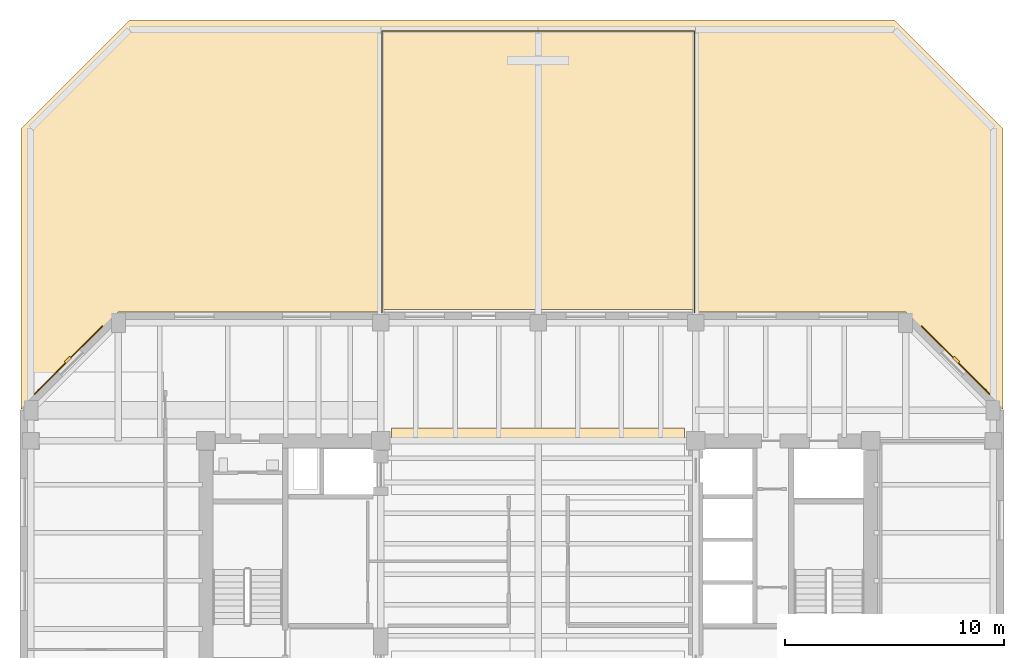
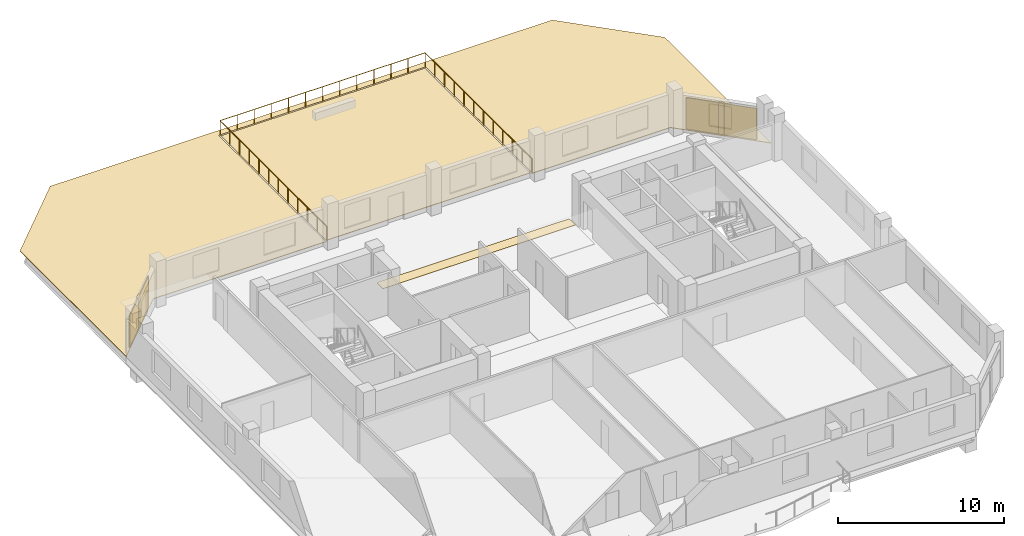
# One storey, part 10 of 11: 5 coverings, 2 shading devices, 1 railing.
"""IFC4 building model written with IfcOpenShell, lengths in metres."""

from ifc_helpers import new_model, si_unit, direction, frame, origin, origin_2d, place, context, subcontext, project, spatial, polyline, rectangle, circle, outline, extrude, material, layer, layer_set, type_object, element, save


model = new_model("IFC4")

# Units and contexts
model_context = context("Model", 3, precision=1e-05, world=origin(), true_north=direction((0.0, 1.0)))
body_context = subcontext(model_context, "Body", "Model", "MODEL_VIEW")
ifc_project = project(units=[si_unit("LENGTHUNIT", "METRE"), si_unit("AREAUNIT", "SQUARE_METRE"), si_unit("VOLUMEUNIT", "CUBIC_METRE"), si_unit("PLANEANGLEUNIT", "RADIAN"), si_unit("MASSUNIT", "GRAM", prefix="KILO")], contexts=[model_context])

# Site, building, storey
site_placement = place(None, origin())
site = spatial("IfcSite", under=ifc_project, at=site_placement, CompositionType="ELEMENT")
building_placement = place(site_placement, origin())
building = spatial("IfcBuilding", under=site, at=building_placement, Name="Kranthara Brick Stack", CompositionType="ELEMENT")
storey_placement = place(building_placement, frame((0.0, 0.0, 207.5)))
storey = spatial("IfcBuildingStorey", under=building, at=storey_placement, Name="L53", CompositionType="ELEMENT", Elevation=207.5)

# Coverings
ifc_material_1 = material(Name="Warm buff kiln-fired brick slip rainscreen", Category="masonry")
ifc_layer_1 = layer(ifc_material_1, 0.044921875)
ifc_layer_set_1 = layer_set([ifc_layer_1], Name="Warm buff kiln-fired brick slip rainscreen")
covering_type_1 = type_object("IfcCoveringType", Name="COV-CLAD-BRICK", PredefinedType="CLADDING", material=ifc_layer_set_1)
for number, where, z_axis, x_axis, name in (
    (1, (6.5126953125, 37.287353515625, 0.0498046875), (0.0, 0.0, 1.0), (0.707106781187, 0.707106781187, 0.0), "L53 Chamfer Brick Rainscreen Cladding NW"),
    (2, (47.08740234375, 37.287353515625, 0.0498046875), (0.0, 0.0, 1.0), (0.707106781187, -0.707106781187, 0.0), "L53 Chamfer Brick Rainscreen Cladding NE"),
):
    element("IfcCovering", number, at=place(storey_placement, frame(where, z_axis=z_axis, x_axis=x_axis)), inside=storey, type_object=covering_type_1, Name=name, PredefinedType="CLADDING", context=body_context, shape_type="SweptSolid", body=[
        extrude(rectangle(XDim=4.39892578125, YDim=0.044921875, at=origin_2d()), origin(), (0.0, 0.0, 1.0), 2.300048828125),
    ])
ifc_material_2 = material(Name="Honed terrazzo and porcelain floor finish", Category="stone")
ifc_layer_2 = layer(ifc_material_2, 0.030029296875)
ifc_layer_set_2 = layer_set([ifc_layer_2], Name="Honed terrazzo and porcelain floor finish")
covering_type_2 = type_object("IfcCoveringType", Name="COV-FLOR-STONE", PredefinedType="FLOORING", material=ifc_layer_set_2)
covering_1_placement = place(storey_placement, origin())
element("IfcCovering", 3, at=covering_1_placement, inside=storey, type_object=covering_type_2, Name="L53 Lift Lobby Stone Flooring", PredefinedType="FLOORING", context=body_context, shape_type="SweptSolid", body=[
    extrude(outline(polyline([(34.699951171875, 33.449951171875), (21.300048828125, 33.449951171875), (21.300048828125, 34.199951171875), (34.699951171875, 34.199951171875), (34.699951171875, 33.449951171875)])), origin(), (0.0, 0.0, 1.0), 0.030029296875),
])
ifc_material_3 = material(Name="EPDM waterproofing membrane and rigid insulation", Category="other")
ifc_layer_3 = layer(ifc_material_3, 0.0400390625)
ifc_layer_set_3 = layer_set([ifc_layer_3], Name="EPDM waterproofing membrane and rigid insulation")
covering_type_3 = type_object("IfcCoveringType", Name="COV-ROOF-MEMB", PredefinedType="ROOFING", material=ifc_layer_set_3)
covering_2_placement = place(storey_placement, frame((0.0, 0.0, -0.0400390625)))
element("IfcCovering", 4, at=covering_2_placement, inside=storey, type_object=covering_type_3, Name="L53 Sky Garden Waterproofing Membrane", PredefinedType="ROOFING", context=body_context, shape_type="SweptSolid", body=[
    extrude(outline(polyline([(20.89990234375, 39.60009765625), (35.10009765625, 39.60009765625), (35.10009765625, 52.300048828125), (20.89990234375, 52.300048828125), (20.89990234375, 39.60009765625)])), origin(), (0.0, 0.0, 1.0), 0.0400390625),
])
covering_3_placement = place(storey_placement, frame((0.0, 0.0, -0.0400390625)))
element("IfcCovering", 5, at=covering_3_placement, inside=storey, type_object=covering_type_3, Name="L53 Setback Flat Roof Waterproofing Membrane 01", PredefinedType="ROOFING", context=body_context, shape_type="SweptSolid", body=[
    extrude(outline(polyline([(4.35009765625, 47.87939453125), (9.32080078125, 52.85009765625), (44.279296875, 52.85009765625), (49.25, 47.87939453125), (49.25, 35.050048828125), (44.800048828125, 39.5), (35.199951171875, 39.5), (35.199951171875, 52.39990234375), (20.800048828125, 52.39990234375), (20.800048828125, 39.5), (8.800048828125, 39.5), (4.35009765625, 35.050048828125), (4.35009765625, 47.87939453125)])), origin(), (0.0, 0.0, 1.0), 0.0400390625),
])

# Railing
ifc_material_4 = material(Name="Bronze anodised aluminium guardrail", Category="aluminium")
railing_type = type_object("IfcRailingType", Name="RL-TERR-1100", PredefinedType="GUARDRAIL", material=ifc_material_4)
railing_placement = place(storey_placement, frame((20.860107421875, 39.4599609375, 0.0)))
element("IfcRailing", 6, at=railing_placement, inside=storey, type_object=railing_type, Name="L53 Sky Garden Perimeter Guardrail", PredefinedType="GUARDRAIL", context=body_context, shape_type="SweptSolid", body=[
    extrude(circle(Radius=0.02392578125, at=origin_2d()), frame((0.0, 0.0, 1.09619140625), z_axis=(0.0, 1.0, 0.0), x_axis=(-1.0, 0.0, 0.0)), (0.0, 0.0, 1.0), 12.880126953125),
    extrude(circle(Radius=0.02392578125, at=origin_2d()), frame((0.0, 12.880126953125, 1.09619140625), z_axis=(1.0, 0.0, 0.0), x_axis=(0.0, 1.0, 0.0)), (0.0, 0.0, 1.0), 14.27978515625),
    extrude(circle(Radius=0.02392578125, at=origin_2d()), frame((14.27978515625, 12.880126953125, 1.09619140625), z_axis=(0.0, -1.0, 0.0), x_axis=(1.0, 0.0, 0.0)), (0.0, 0.0, 1.0), 12.880126953125),
    extrude(circle(Radius=0.02099609375, at=origin_2d()), origin(), (0.0, 0.0, 1.0), 1.072021484375),
    extrude(circle(Radius=0.02099609375, at=origin_2d()), frame((0.0, 1.1708984375, 0.0)), (0.0, 0.0, 1.0), 1.072021484375),
    extrude(circle(Radius=0.02099609375, at=origin_2d()), frame((0.0, 2.341796875, 0.0)), (0.0, 0.0, 1.0), 1.072021484375),
    extrude(circle(Radius=0.02099609375, at=origin_2d()), frame((0.0, 3.5126953125, 0.0)), (0.0, 0.0, 1.0), 1.072021484375),
    extrude(circle(Radius=0.02099609375, at=origin_2d()), frame((0.0, 4.68359375, 0.0)), (0.0, 0.0, 1.0), 1.072021484375),
    extrude(circle(Radius=0.02099609375, at=origin_2d()), frame((0.0, 5.8544921875, 0.0)), (0.0, 0.0, 1.0), 1.072021484375),
    extrude(circle(Radius=0.02099609375, at=origin_2d()), frame((0.0, 7.025634765625, 0.0)), (0.0, 0.0, 1.0), 1.072021484375),
    extrude(circle(Radius=0.02099609375, at=origin_2d()), frame((0.0, 8.196533203125, 0.0)), (0.0, 0.0, 1.0), 1.072021484375),
    extrude(circle(Radius=0.02099609375, at=origin_2d()), frame((0.0, 9.367431640625, 0.0)), (0.0, 0.0, 1.0), 1.072021484375),
    extrude(circle(Radius=0.02099609375, at=origin_2d()), frame((0.0, 10.538330078125, 0.0)), (0.0, 0.0, 1.0), 1.072021484375),
    extrude(circle(Radius=0.02099609375, at=origin_2d()), frame((0.0, 11.709228515625, 0.0)), (0.0, 0.0, 1.0), 1.072021484375),
    extrude(circle(Radius=0.02099609375, at=origin_2d()), frame((0.0, 12.880126953125, 0.0)), (0.0, 0.0, 1.0), 1.072021484375),
    extrude(circle(Radius=0.02099609375, at=origin_2d()), frame((1.18994140625, 12.880126953125, 0.0)), (0.0, 0.0, 1.0), 1.072021484375),
    extrude(circle(Radius=0.02099609375, at=origin_2d()), frame((2.3798828125, 12.880126953125, 0.0)), (0.0, 0.0, 1.0), 1.072021484375),
    extrude(circle(Radius=0.02099609375, at=origin_2d()), frame((3.56982421875, 12.880126953125, 0.0)), (0.0, 0.0, 1.0), 1.072021484375),
    extrude(circle(Radius=0.02099609375, at=origin_2d()), frame((4.760009765625, 12.880126953125, 0.0)), (0.0, 0.0, 1.0), 1.072021484375),
    extrude(circle(Radius=0.02099609375, at=origin_2d()), frame((5.949951171875, 12.880126953125, 0.0)), (0.0, 0.0, 1.0), 1.072021484375),
    extrude(circle(Radius=0.02099609375, at=origin_2d()), frame((7.139892578125, 12.880126953125, 0.0)), (0.0, 0.0, 1.0), 1.072021484375),
    extrude(circle(Radius=0.02099609375, at=origin_2d()), frame((8.329833984375, 12.880126953125, 0.0)), (0.0, 0.0, 1.0), 1.072021484375),
    extrude(circle(Radius=0.02099609375, at=origin_2d()), frame((9.519775390625, 12.880126953125, 0.0)), (0.0, 0.0, 1.0), 1.072021484375),
    extrude(circle(Radius=0.02099609375, at=origin_2d()), frame((10.7099609375, 12.880126953125, 0.0)), (0.0, 0.0, 1.0), 1.072021484375),
    extrude(circle(Radius=0.02099609375, at=origin_2d()), frame((11.89990234375, 12.880126953125, 0.0)), (0.0, 0.0, 1.0), 1.072021484375),
    extrude(circle(Radius=0.02099609375, at=origin_2d()), frame((13.08984375, 12.880126953125, 0.0)), (0.0, 0.0, 1.0), 1.072021484375),
    extrude(circle(Radius=0.02099609375, at=origin_2d()), frame((14.27978515625, 12.880126953125, 0.0)), (0.0, 0.0, 1.0), 1.072021484375),
    extrude(circle(Radius=0.02099609375, at=origin_2d()), frame((14.27978515625, 11.709228515625, 0.0)), (0.0, 0.0, 1.0), 1.072021484375),
    extrude(circle(Radius=0.02099609375, at=origin_2d()), frame((14.27978515625, 10.538330078125, 0.0)), (0.0, 0.0, 1.0), 1.072021484375),
    extrude(circle(Radius=0.02099609375, at=origin_2d()), frame((14.27978515625, 9.367431640625, 0.0)), (0.0, 0.0, 1.0), 1.072021484375),
    extrude(circle(Radius=0.02099609375, at=origin_2d()), frame((14.27978515625, 8.196533203125, 0.0)), (0.0, 0.0, 1.0), 1.072021484375),
    extrude(circle(Radius=0.02099609375, at=origin_2d()), frame((14.27978515625, 7.025634765625, 0.0)), (0.0, 0.0, 1.0), 1.072021484375),
    extrude(circle(Radius=0.02099609375, at=origin_2d()), frame((14.27978515625, 5.8544921875, 0.0)), (0.0, 0.0, 1.0), 1.072021484375),
    extrude(circle(Radius=0.02099609375, at=origin_2d()), frame((14.27978515625, 4.68359375, 0.0)), (0.0, 0.0, 1.0), 1.072021484375),
    extrude(circle(Radius=0.02099609375, at=origin_2d()), frame((14.27978515625, 3.5126953125, 0.0)), (0.0, 0.0, 1.0), 1.072021484375),
    extrude(circle(Radius=0.02099609375, at=origin_2d()), frame((14.27978515625, 2.341796875, 0.0)), (0.0, 0.0, 1.0), 1.072021484375),
    extrude(circle(Radius=0.02099609375, at=origin_2d()), frame((14.27978515625, 1.1708984375, 0.0)), (0.0, 0.0, 1.0), 1.072021484375),
    extrude(circle(Radius=0.02099609375, at=origin_2d()), frame((14.27978515625, 0.0, 0.0)), (0.0, 0.0, 1.0), 1.072021484375),
])

# Shading devices
ifc_material_5 = material(Name="Kiln-fired terracotta aerodynamic wind fin", Category="masonry")
shading_device_type = type_object("IfcShadingDeviceType", Name="SHD-BAFFLE-CORNER", PredefinedType="SHUTTER", material=ifc_material_5)
for number, where, z_axis, x_axis, name in (
    (7, (6.491455078125, 37.30859375, 0.0498046875), (0.0, 0.0, 1.0), (0.707106781187, 0.707106781187, 0.0), "L53 Chamfer Wind-Baffle Fin NW"),
    (8, (47.1083984375, 37.30859375, 0.0498046875), (0.0, 0.0, 1.0), (0.707106781187, -0.707106781187, 0.0), "L53 Chamfer Wind-Baffle Fin NE"),
):
    element("IfcShadingDevice", number, at=place(storey_placement, frame(where, z_axis=z_axis, x_axis=x_axis)), inside=storey, type_object=shading_device_type, Name=name, PredefinedType="SHUTTER", context=body_context, shape_type="SweptSolid", body=[
        extrude(rectangle(XDim=0.35009765625, YDim=0.1201171875, at=origin_2d()), origin(), (0.0, 0.0, 1.0), 2.300048828125),
    ])

save(model, "model.ifc")
